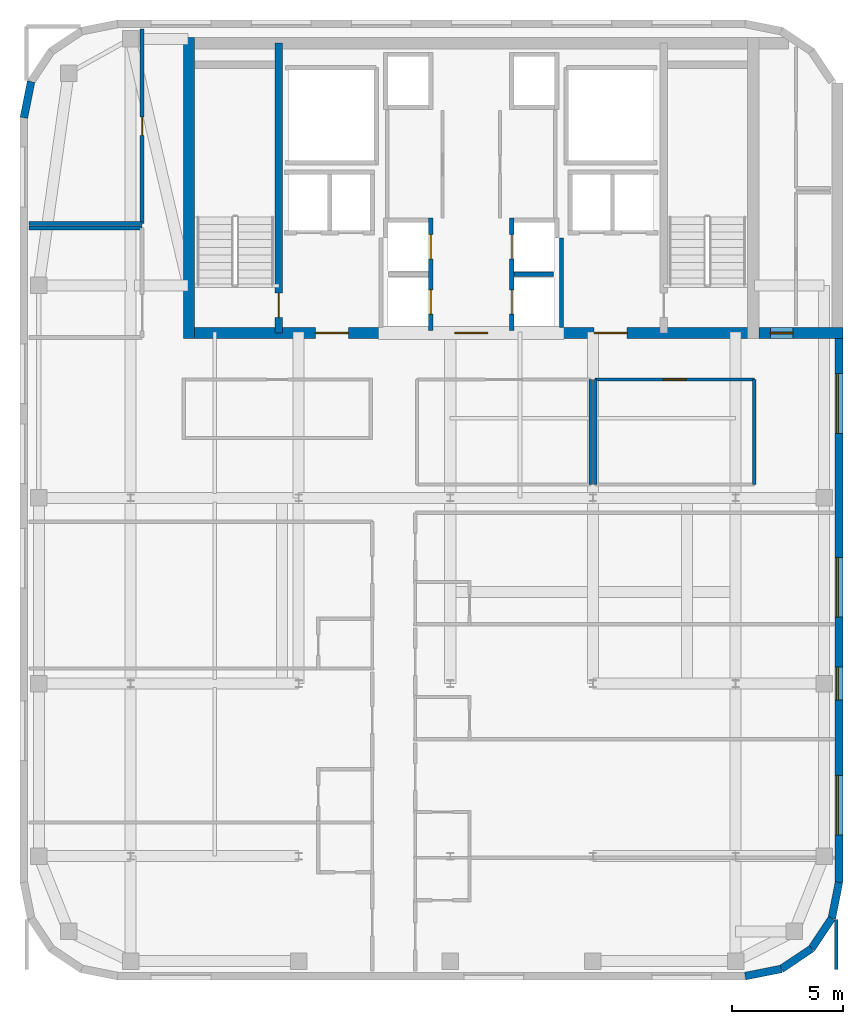
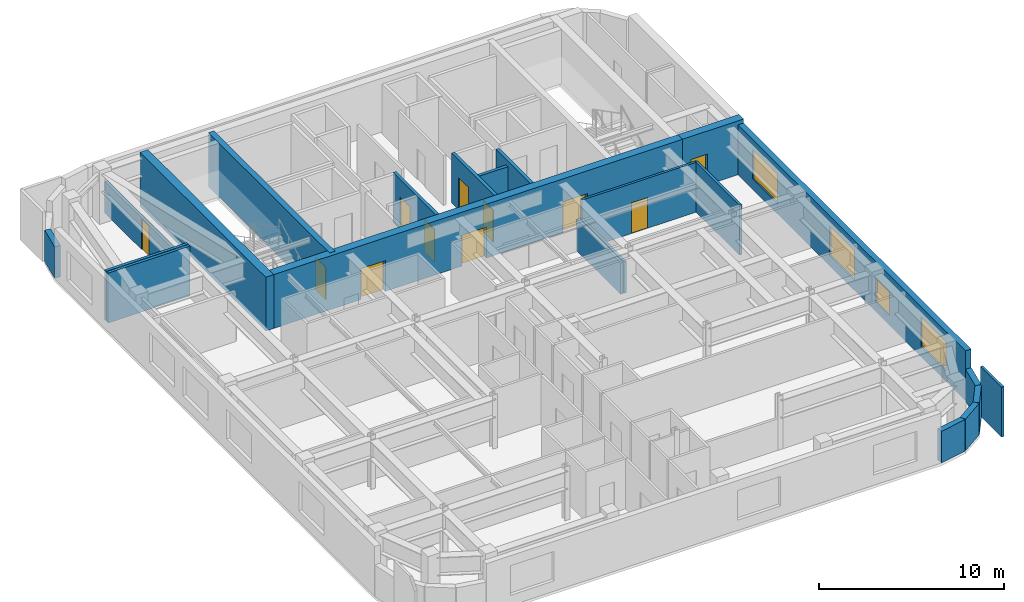
# One storey, part 5 of 8: 22 walls, 11 doors, 4 windows, 15 openings.
"""IFC4 building model written with IfcOpenShell, lengths in metres."""

from ifc_helpers import new_model, si_unit, direction, frame, frame_2d, origin, place, context, subcontext, project, spatial, rectangle, extrude, source, transform, mapped, material, layer, layer_set, type_object, type_shapes, element, fill, save


model = new_model("IFC4")

# Units and contexts
model_context = context("Model", 3, precision=1e-05, world=origin(), true_north=direction((0.0, 1.0)))
body_context = subcontext(model_context, "Body", "Model", "MODEL_VIEW")
ifc_project = project(units=[si_unit("LENGTHUNIT", "METRE"), si_unit("AREAUNIT", "SQUARE_METRE"), si_unit("VOLUMEUNIT", "CUBIC_METRE"), si_unit("PLANEANGLEUNIT", "RADIAN"), si_unit("MASSUNIT", "GRAM", prefix="KILO")], contexts=[model_context])

# Site, building, storey
site_placement = place(None, origin())
site = spatial("IfcSite", under=ifc_project, at=site_placement, CompositionType="ELEMENT")
building_placement = place(site_placement, origin())
building = spatial("IfcBuilding", under=site, at=building_placement, Name="Tolvann Quenvar Hotel", CompositionType="ELEMENT")
storey_placement = place(building_placement, frame((0.0, 0.0, 238.10009765625)))
storey = spatial("IfcBuildingStorey", under=building, at=storey_placement, Name="L63", CompositionType="ELEMENT", Elevation=238.10009765625)

# Wall, openings, doors
ifc_material_1 = material(Name="Concrete N50 (50 MPa)", Category="concrete")
ifc_layer_1 = layer(ifc_material_1, 0.5)
ifc_layer_set_1 = layer_set([ifc_layer_1], Name="Concrete N50 (50 MPa)")
wall_type_1 = type_object("IfcWallType", Name="WALL_CORE_500", PredefinedType="SHEAR", material=ifc_layer_set_1)
wall_1_placement = place(storey_placement, frame((10.0, 31.85009765625, 0.0), z_axis=(0.0, 0.0, 1.0), x_axis=(1.0, 0.0, 0.0)))
wall_1 = element("IfcWall", 1, at=wall_1_placement, inside=storey, type_object=wall_type_1, Name="Rear Core S Shear Wall (L63)", PredefinedType="SHEAR", context=body_context, shape_type="SweptSolid", body=[
    extrude(rectangle(XDim=26.0, YDim=0.5, at=frame_2d((13.0, 0.0))), origin(), (0.0, 0.0, 1.0), 3.5498046875),
])
opening_1_placement = place(wall_1_placement, frame((7.449951171875, 0.0, 0.0), z_axis=(0.0, 0.0, 1.0), x_axis=(-1.0, 0.0, 0.0)))
opening_1 = element("IfcOpeningElement", 2, at=opening_1_placement, cuts=wall_1, Name="Opening FD-60D", PredefinedType="OPENING", context=body_context, shape_type="SweptSolid", body=[
    extrude(rectangle(XDim=1.5, YDim=2.0400390625, at=frame_2d((0.75, 1.02001953125))), frame((0.0, 0.260009765625, 0.0), z_axis=(0.0, -1.0, 0.0), x_axis=(1.0, 0.0, 0.0)), (0.0, 0.0, 1.0), 0.52001953125),
])
opening_2_placement = place(wall_1_placement, frame((13.75, 0.0, 0.0), z_axis=(0.0, 0.0, 1.0), x_axis=(-1.0, 0.0, 0.0)))
opening_2 = element("IfcOpeningElement", 3, at=opening_2_placement, cuts=wall_1, Name="Opening FD-60D", PredefinedType="OPENING", context=body_context, shape_type="SweptSolid", body=[
    extrude(rectangle(XDim=1.5, YDim=2.0400390625, at=frame_2d((0.75, 1.02001953125))), frame((0.0, 0.260009765625, 0.0), z_axis=(0.0, -1.0, 0.0), x_axis=(1.0, 0.0, 0.0)), (0.0, 0.0, 1.0), 0.52001953125),
])
opening_3_placement = place(wall_1_placement, frame((20.050048828125, 0.0, 0.0), z_axis=(0.0, 0.0, 1.0), x_axis=(-1.0, 0.0, 0.0)))
opening_3 = element("IfcOpeningElement", 4, at=opening_3_placement, cuts=wall_1, Name="Opening FD-60D", PredefinedType="OPENING", context=body_context, shape_type="SweptSolid", body=[
    extrude(rectangle(XDim=1.5, YDim=2.0400390625, at=frame_2d((0.75, 1.02001953125))), frame((0.0, 0.260009765625, 0.0), z_axis=(0.0, -1.0, 0.0), x_axis=(1.0, 0.0, 0.0)), (0.0, 0.0, 1.0), 0.52001953125),
])
ifc_material_2 = material(Name="Solid-core American oak acoustic fire door leaf in steel frame", Category="steel")
door_type_1 = type_object("IfcDoorType", Name="DOOR_FIRE_LOBBY_1500", OperationType="NOTDEFINED", PredefinedType="DOOR", material=ifc_material_2)
shared_shape_1 = source(origin(), body_context, "Body", "SweptSolid", [
    extrude(rectangle(XDim=1.5, YDim=2.0400390625, at=frame_2d((0.75, 1.02001953125))), frame((0.0, 0.02490234375, 0.0), z_axis=(0.0, -1.0, 0.0), x_axis=(1.0, 0.0, 0.0)), (0.0, 0.0, 1.0), 0.050048828125),
])
type_shapes(door_type_1, [shared_shape_1])
door_1_placement = place(opening_1_placement, origin())
door_1 = element("IfcDoor", 5, at=door_1_placement, inside=storey, type_object=door_type_1, Name="Core Lobby Fire Door FFW (L63)", OperationType="DOUBLE_DOOR_SINGLE_SWING", OverallHeight=2.0400390625, OverallWidth=1.5, PredefinedType="DOOR", context=body_context, shape_type="MappedRepresentation", body=[
    mapped(shared_shape_1, transform((0.0, 0.0, 0.0), x_axis=(1.0, 0.0, 0.0), y_axis=(0.0, 1.0, 0.0), z_axis=(0.0, 0.0, 1.0), scale=1.0)),
])
fill(opening_1, door_1)
door_2_placement = place(opening_2_placement, origin())
door_2 = element("IfcDoor", 6, at=door_2_placement, inside=storey, type_object=door_type_1, Name="Core Lobby Fire Door CLOB (L63)", OperationType="DOUBLE_DOOR_SINGLE_SWING", OverallHeight=2.0400390625, OverallWidth=1.5, PredefinedType="DOOR", context=body_context, shape_type="MappedRepresentation", body=[
    mapped(shared_shape_1, transform((0.0, 0.0, 0.0), x_axis=(1.0, 0.0, 0.0), y_axis=(0.0, 1.0, 0.0), z_axis=(0.0, 0.0, 1.0), scale=1.0)),
])
fill(opening_2, door_2)
door_3_placement = place(opening_3_placement, origin())
door_3 = element("IfcDoor", 7, at=door_3_placement, inside=storey, type_object=door_type_1, Name="Core Lobby Fire Door FFE (L63)", OperationType="DOUBLE_DOOR_SINGLE_SWING", OverallHeight=2.0400390625, OverallWidth=1.5, PredefinedType="DOOR", context=body_context, shape_type="MappedRepresentation", body=[
    mapped(shared_shape_1, transform((0.0, 0.0, 0.0), x_axis=(1.0, 0.0, 0.0), y_axis=(0.0, 1.0, 0.0), z_axis=(0.0, 0.0, 1.0), scale=1.0)),
])
fill(opening_3, door_3)

# Wall
wall_2_placement = place(storey_placement, frame((10.25, 31.60009765625, 0.0), z_axis=(0.0, 0.0, 1.0), x_axis=(0.0, 1.0, 0.0)))
element("IfcWall", 8, at=wall_2_placement, inside=storey, type_object=wall_type_1, Name="Rear Core W Shear Wall (L63)", PredefinedType="SHEAR", context=body_context, shape_type="SweptSolid", body=[
    extrude(rectangle(XDim=13.599853515625, YDim=0.5, at=frame_2d((6.7998046875, 0.0))), origin(), (0.0, 0.0, 1.0), 3.5498046875),
])

# Wall, opening, door
wall_3_placement = place(storey_placement, frame((36.0, 31.85009765625, 0.0), z_axis=(0.0, 0.0, 1.0), x_axis=(1.0, 0.0, 0.0)))
wall_3 = element("IfcWall", 9, at=wall_3_placement, inside=storey, type_object=wall_type_1, Name="Core East Annex Shear Wall ANN-S (L63)", PredefinedType="SHEAR", context=body_context, shape_type="SweptSolid", body=[
    extrude(rectangle(XDim=3.800048828125, YDim=0.5, at=frame_2d((1.89990234375, 0.0))), origin(), (0.0, 0.0, 1.0), 3.5498046875),
])
opening_4_placement = place(wall_3_placement, frame((1.5400390625, 0.0, 0.0), z_axis=(0.0, 0.0, 1.0), x_axis=(-1.0, 0.0, 0.0)))
opening_4 = element("IfcOpeningElement", 10, at=opening_4_placement, cuts=wall_3, Name="Opening HD-01", PredefinedType="OPENING", context=body_context, shape_type="SweptSolid", body=[
    extrude(rectangle(XDim=1.02001953125, YDim=2.030029296875, at=frame_2d((0.510009765625, 1.01513671875))), frame((0.0, 0.260009765625, 0.0), z_axis=(0.0, -1.0, 0.0), x_axis=(1.0, 0.0, 0.0)), (0.0, 0.0, 1.0), 0.52001953125),
])
ifc_material_3 = material(Name="Pressed galvanised steel fire-rated door set", Category="steel")
door_type_2 = type_object("IfcDoorType", Name="DOOR_BOH_1020", OperationType="NOTDEFINED", PredefinedType="DOOR", material=ifc_material_3)
shared_shape_2 = source(origin(), body_context, "Body", "SweptSolid", [
    extrude(rectangle(XDim=1.02001953125, YDim=2.030029296875, at=frame_2d((0.510009765625, 1.01513671875))), frame((0.0, 0.02490234375, 0.0), z_axis=(0.0, -1.0, 0.0), x_axis=(1.0, 0.0, 0.0)), (0.0, 0.0, 1.0), 0.050048828125),
])
type_shapes(door_type_2, [shared_shape_2])
door_4_placement = place(opening_4_placement, origin())
door_4 = element("IfcDoor", 11, at=door_4_placement, inside=storey, type_object=door_type_2, Name="Housekeeping Annex Fire Door (L63)", OperationType="SINGLE_SWING_RIGHT", OverallHeight=2.030029296875, OverallWidth=1.02001953125, PredefinedType="DOOR", context=body_context, shape_type="MappedRepresentation", body=[
    mapped(shared_shape_2, transform((0.0, 0.0, 0.0), x_axis=(1.0, 0.0, 0.0), y_axis=(0.0, 1.0, 0.0), z_axis=(0.0, 0.0, 1.0), scale=1.0)),
])
fill(opening_4, door_4)

ifc_material_4 = material(Name="Concrete S65 (65 MPa)", Category="concrete")
ifc_layer_2 = layer(ifc_material_4, 0.35009765625)
ifc_layer_set_2 = layer_set([ifc_layer_2], Name="Concrete S65 (65 MPa)")
wall_type_2 = type_object("IfcWallType", Name="WALL_CORE_INT_350", PredefinedType="SHEAR", material=ifc_layer_set_2)
wall_4_placement = place(storey_placement, frame((14.300048828125, 31.85009765625, 0.0), z_axis=(0.0, 0.0, 1.0), x_axis=(0.0, 1.0, 0.0)))
wall_4 = element("IfcWall", 12, at=wall_4_placement, inside=storey, type_object=wall_type_2, Name="Core Internal Web Shear Wall WEB-W (L63)", PredefinedType="SHEAR", context=body_context, shape_type="SweptSolid", body=[
    extrude(rectangle(XDim=13.099853515625, YDim=0.35009765625, at=frame_2d((6.5498046875, 0.0))), origin(), (0.0, 0.0, 1.0), 3.5498046875),
])
opening_5_placement = place(wall_4_placement, frame((0.699951171875, 0.0, 0.0)))
opening_5 = element("IfcOpeningElement", 13, at=opening_5_placement, cuts=wall_4, Name="Opening FD-120", PredefinedType="OPENING", context=body_context, shape_type="SweptSolid", body=[
    extrude(rectangle(XDim=1.10009765625, YDim=2.1201171875, at=frame_2d((0.550048828125, 1.06005859375))), frame((0.0, 0.18505859375, 0.0), z_axis=(0.0, -1.0, 0.0), x_axis=(1.0, 0.0, 0.0)), (0.0, 0.0, 1.0), 0.3701171875),
])
door_type_3 = type_object("IfcDoorType", Name="DOOR_FIRE_STAIR_1100", OperationType="NOTDEFINED", PredefinedType="DOOR", material=ifc_material_3)
shared_shape_3 = source(origin(), body_context, "Body", "SweptSolid", [
    extrude(rectangle(XDim=1.10009765625, YDim=2.1201171875, at=frame_2d((0.550048828125, 1.06005859375))), frame((0.0, 0.02490234375, 0.0), z_axis=(0.0, -1.0, 0.0), x_axis=(1.0, 0.0, 0.0)), (0.0, 0.0, 1.0), 0.050048828125),
])
type_shapes(door_type_3, [shared_shape_3])
door_5_placement = place(opening_5_placement, origin())
door_5 = element("IfcDoor", 14, at=door_5_placement, inside=storey, type_object=door_type_3, Name="Exit Stair ST-C1 Fire Door (L63)", OperationType="SINGLE_SWING_RIGHT", OverallHeight=2.1201171875, OverallWidth=1.10009765625, PredefinedType="DOOR", context=body_context, shape_type="MappedRepresentation", body=[
    mapped(shared_shape_3, transform((0.0, 0.0, 0.0), x_axis=(1.0, 0.0, 0.0), y_axis=(0.0, 1.0, 0.0), z_axis=(0.0, 0.0, 1.0), scale=1.0)),
])
fill(opening_5, door_5)

# Walls
ifc_material_5 = material(Name="Kiln-fired red and buff architectural clay brickwork and terracotta masonry", Category="masonry")
ifc_layer_3 = layer(ifc_material_5, 0.35009765625)
ifc_layer_set_3 = layer_set([ifc_layer_3], Name="Kiln-fired red and buff architectural clay brickwork and terracotta masonry")
wall_type_3 = type_object("IfcWallType", Name="WALL_EXT_BRICK_350", PredefinedType="SOLIDWALL", material=ifc_layer_set_3)
wall_5_placement = place(storey_placement, frame((35.3828125, 2.77490234375, 0.0), z_axis=(0.0, 0.0, 1.0), x_axis=(0.980788844421, 0.195072403631, 0.0)))
element("IfcWall", 15, at=wall_5_placement, inside=storey, type_object=wall_type_3, Name="Exterior Chicago Brick Wall L63-E05", PredefinedType="SOLIDWALL", context=body_context, shape_type="SweptSolid", body=[
    extrude(rectangle(XDim=1.66455078125, YDim=0.35009765625, at=frame_2d((0.832275390625, 0.0))), origin(), (0.0, 0.0, 1.0), 2.079833984375),
])
for number, where, z_axis, x_axis, name in (
    (16, (37.015380859375, 3.099609375, 0.0), (0.0, 0.0, 1.0), (0.831434158098, 0.555623290322, 0.0), "Exterior Chicago Brick Wall L63-E06"),
    (17, (38.385009765625, 4.014892578125, 0.0), (0.0, 0.0, 1.0), (0.555623290322, 0.831434158098, 0.0), "Exterior Chicago Brick Wall L63-E07"),
):
    element("IfcWall", number, at=place(storey_placement, frame(where, z_axis=z_axis, x_axis=x_axis)), inside=storey, type_object=wall_type_3, Name=name, PredefinedType="SOLIDWALL", context=body_context, shape_type="SweptSolid", body=[
        extrude(rectangle(XDim=1.647216796875, YDim=0.35009765625, at=frame_2d((0.82373046875, 0.0))), origin(), (0.0, 0.0, 1.0), 2.079833984375),
    ])
wall_6_placement = place(storey_placement, frame((39.30029296875, 5.384521484375, 0.0), z_axis=(0.0, 0.0, 1.0), x_axis=(0.195072403631, 0.980788844421, 0.0)))
element("IfcWall", 18, at=wall_6_placement, inside=storey, type_object=wall_type_3, Name="Exterior Chicago Brick Wall L63-E08", PredefinedType="SOLIDWALL", context=body_context, shape_type="SweptSolid", body=[
    extrude(rectangle(XDim=1.66455078125, YDim=0.35009765625, at=frame_2d((0.832275390625, 0.0))), origin(), (0.0, 0.0, 1.0), 2.079833984375),
])

# Wall, openings, windows
wall_7_placement = place(storey_placement, frame((39.625, 7.01708984375, 0.0), z_axis=(0.0, 0.0, 1.0), x_axis=(0.0, 1.0, 0.0)))
wall_7 = element("IfcWall", 19, at=wall_7_placement, inside=storey, type_object=wall_type_3, Name="Exterior Chicago Brick Wall L63-E09", PredefinedType="SOLIDWALL", context=body_context, shape_type="SweptSolid", body=[
    extrude(rectangle(XDim=24.578857421875, YDim=0.35009765625, at=frame_2d((12.28955078125, 0.0))), origin(), (0.0, 0.0, 1.0), 3.289794921875),
])
opening_6_placement = place(wall_7_placement, frame((2.137939453125, 0.0, 0.679931640625)))
opening_6 = element("IfcOpeningElement", 20, at=opening_6_placement, cuts=wall_7, Name="Opening W-04", PredefinedType="OPENING", context=body_context, shape_type="SweptSolid", body=[
    extrude(rectangle(XDim=2.699951171875, YDim=1.949951171875, at=frame_2d((1.35009765625, 0.97509765625))), frame((0.0, 0.18505859375, 0.0), z_axis=(0.0, -1.0, 0.0), x_axis=(1.0, 0.0, 0.0)), (0.0, 0.0, 1.0), 0.3701171875),
])
opening_7_placement = place(wall_7_placement, frame((11.989013671875, 0.0, 0.679931640625)))
opening_7 = element("IfcOpeningElement", 21, at=opening_7_placement, cuts=wall_7, Name="Opening W-04", PredefinedType="OPENING", context=body_context, shape_type="SweptSolid", body=[
    extrude(rectangle(XDim=2.699951171875, YDim=1.949951171875, at=frame_2d((1.35009765625, 0.97509765625))), frame((0.0, 0.18505859375, 0.0), z_axis=(0.0, -1.0, 0.0), x_axis=(1.0, 0.0, 0.0)), (0.0, 0.0, 1.0), 0.3701171875),
])
opening_8_placement = place(wall_7_placement, frame((20.291015625, 0.0, 0.679931640625)))
opening_8 = element("IfcOpeningElement", 22, at=opening_8_placement, cuts=wall_7, Name="Opening W-04", PredefinedType="OPENING", context=body_context, shape_type="SweptSolid", body=[
    extrude(rectangle(XDim=2.699951171875, YDim=1.949951171875, at=frame_2d((1.35009765625, 0.97509765625))), frame((0.0, 0.18505859375, 0.0), z_axis=(0.0, -1.0, 0.0), x_axis=(1.0, 0.0, 0.0)), (0.0, 0.0, 1.0), 0.3701171875),
])
opening_9_placement = place(wall_7_placement, frame((8.23291015625, 0.0, 0.6201171875)))
opening_9 = element("IfcOpeningElement", 23, at=opening_9_placement, cuts=wall_7, Name="Opening W-08", PredefinedType="OPENING", context=body_context, shape_type="SweptSolid", body=[
    extrude(rectangle(XDim=1.5, YDim=1.550048828125, at=frame_2d((0.75, 0.77490234375))), frame((0.0, 0.18505859375, 0.0), z_axis=(0.0, -1.0, 0.0), x_axis=(1.0, 0.0, 0.0)), (0.0, 0.0, 1.0), 0.3701171875),
])
ifc_material_6 = material(Name="Thermally broken bronze-anodised aluminium frame with double low-E glazing", Category="aluminium")
window_type_1 = type_object("IfcWindowType", Name="WIN_COR_1500x2050", PartitioningType="SINGLE_PANEL", PredefinedType="WINDOW", material=ifc_material_6)
shared_shape_4 = source(origin(), body_context, "Body", "SweptSolid", [
    extrude(rectangle(XDim=1.5, YDim=1.550048828125, at=frame_2d((0.75, 0.77490234375))), frame((0.0, 0.090087890625, 0.0), z_axis=(0.0, -1.0, 0.0), x_axis=(1.0, 0.0, 0.0)), (0.0, 0.0, 1.0), 0.06005859375),
])
type_shapes(window_type_1, [shared_shape_4])
window_1_placement = place(opening_9_placement, origin())
window_1 = element("IfcWindow", 24, at=window_1_placement, inside=storey, type_object=window_type_1, Name="Chicago Window W-08 (EW-L63-E09-WD04)", OverallHeight=1.550048828125, OverallWidth=1.5, PartitioningType="SINGLE_PANEL", PredefinedType="WINDOW", context=body_context, shape_type="MappedRepresentation", body=[
    mapped(shared_shape_4, transform((0.0, 0.0, 0.0), x_axis=(1.0, 0.0, 0.0), y_axis=(0.0, 1.0, 0.0), z_axis=(0.0, 0.0, 1.0), scale=1.0)),
])
fill(opening_9, window_1)
window_type_2 = type_object("IfcWindowType", Name="WIN_STE_2700x2150", PartitioningType="TRIPLE_PANEL_HORIZONTAL", PredefinedType="WINDOW", material=ifc_material_6)
shared_shape_5 = source(origin(), body_context, "Body", "SweptSolid", [
    extrude(rectangle(XDim=2.699951171875, YDim=1.949951171875, at=frame_2d((1.35009765625, 0.97509765625))), frame((0.0, 0.090087890625, 0.0), z_axis=(0.0, -1.0, 0.0), x_axis=(1.0, 0.0, 0.0)), (0.0, 0.0, 1.0), 0.06005859375),
])
type_shapes(window_type_2, [shared_shape_5])
window_2_placement = place(opening_6_placement, origin())
window_2 = element("IfcWindow", 25, at=window_2_placement, inside=storey, type_object=window_type_2, Name="Chicago Window W-04 (EW-L63-E09-W01)", OverallHeight=1.949951171875, OverallWidth=2.699951171875, PartitioningType="TRIPLE_PANEL_HORIZONTAL", PredefinedType="WINDOW", context=body_context, shape_type="MappedRepresentation", body=[
    mapped(shared_shape_5, transform((0.0, 0.0, 0.0), x_axis=(1.0, 0.0, 0.0), y_axis=(0.0, 1.0, 0.0), z_axis=(0.0, 0.0, 1.0), scale=1.0)),
])
fill(opening_6, window_2)
window_3_placement = place(opening_7_placement, origin())
window_3 = element("IfcWindow", 26, at=window_3_placement, inside=storey, type_object=window_type_2, Name="Chicago Window W-04 (EW-L63-E09-W02)", OverallHeight=1.949951171875, OverallWidth=2.699951171875, PartitioningType="TRIPLE_PANEL_HORIZONTAL", PredefinedType="WINDOW", context=body_context, shape_type="MappedRepresentation", body=[
    mapped(shared_shape_5, transform((0.0, 0.0, 0.0), x_axis=(1.0, 0.0, 0.0), y_axis=(0.0, 1.0, 0.0), z_axis=(0.0, 0.0, 1.0), scale=1.0)),
])
fill(opening_7, window_3)
window_4_placement = place(opening_8_placement, origin())
window_4 = element("IfcWindow", 27, at=window_4_placement, inside=storey, type_object=window_type_2, Name="Chicago Window W-04 (EW-L63-E09-W03)", OverallHeight=1.949951171875, OverallWidth=2.699951171875, PartitioningType="TRIPLE_PANEL_HORIZONTAL", PredefinedType="WINDOW", context=body_context, shape_type="MappedRepresentation", body=[
    mapped(shared_shape_5, transform((0.0, 0.0, 0.0), x_axis=(1.0, 0.0, 0.0), y_axis=(0.0, 1.0, 0.0), z_axis=(0.0, 0.0, 1.0), scale=1.0)),
])
fill(opening_8, window_4)

# Walls
wall_8_placement = place(storey_placement, frame((3.099609375, 43.215576171875, 0.0), z_axis=(0.0, 0.0, 1.0), x_axis=(-0.195044345786, -0.980794424524, 0.0)))
element("IfcWall", 28, at=wall_8_placement, inside=storey, type_object=wall_type_3, Name="Exterior Chicago Brick Wall L63-E18", PredefinedType="SOLIDWALL", context=body_context, shape_type="SweptSolid", body=[
    extrude(rectangle(XDim=1.664794921875, YDim=0.35009765625, at=frame_2d((0.83251953125, 0.0))), origin(), (0.0, 0.0, 1.0), 2.079833984375),
])
ifc_material_7 = material(Name="Acoustic twin-stud fire-rated gypsum plasterboard partition")
ifc_layer_4 = layer(ifc_material_7, 0.179931640625)
ifc_layer_set_4 = layer_set([ifc_layer_4], Name="Acoustic twin-stud fire-rated gypsum plasterboard partition")
wall_type_4 = type_object("IfcWallType", Name="WALL_PART_ACOUSTIC_180", PredefinedType="PARTITIONING", material=ifc_layer_set_4)
for number, where, z_axis, x_axis, name in (
    (29, (3.0048828125, 36.60009765625, 0.0), (0.0, 0.0, 1.0), (1.0, 0.0, 0.0), "Interior Partition PT-SPC-L63-SAL-N"),
    (30, (3.0048828125, 36.800048828125, 0.0), (0.0, 0.0, 1.0), (1.0, 0.0, 0.0), "Interior Partition PT-SPC-L63-STD-S"),
):
    element("IfcWall", number, at=place(storey_placement, frame(where, z_axis=z_axis, x_axis=x_axis)), inside=storey, type_object=wall_type_4, Name=name, PredefinedType="PARTITIONING", context=body_context, shape_type="SweptSolid", body=[
        extrude(rectangle(XDim=5.115234375, YDim=0.179931640625, at=frame_2d((2.5576171875, 0.0))), origin(), (0.0, 0.0, 1.0), 3.289794921875),
    ])

# Wall, opening, door
wall_9_placement = place(storey_placement, frame((8.1201171875, 36.800048828125, 0.0), z_axis=(0.0, 0.0, 1.0), x_axis=(0.0, 1.0, 0.0)))
wall_9 = element("IfcWall", 31, at=wall_9_placement, inside=storey, type_object=wall_type_4, Name="Interior Partition PT-SPC-L63-STD-E", PredefinedType="PARTITIONING", context=body_context, shape_type="SweptSolid", body=[
    extrude(rectangle(XDim=8.794921875, YDim=0.179931640625, at=frame_2d((4.3974609375, 0.0))), origin(), (0.0, 0.0, 1.0), 2.079833984375),
])
opening_10_placement = place(wall_9_placement, frame((3.987548828125, 0.0, 0.0)))
opening_10 = element("IfcOpeningElement", 32, at=opening_10_placement, cuts=wall_9, Name="Opening HD-02", PredefinedType="OPENING", context=body_context, shape_type="SweptSolid", body=[
    extrude(rectangle(XDim=0.820068359375, YDim=2.010009765625, at=frame_2d((0.41015625, 1.0048828125))), frame((0.0, 0.10009765625, 0.0), z_axis=(0.0, -1.0, 0.0), x_axis=(1.0, 0.0, 0.0)), (0.0, 0.0, 1.0), 0.199951171875),
])
door_type_4 = type_object("IfcDoorType", Name="DOOR_STORE_820", OperationType="NOTDEFINED", PredefinedType="DOOR", material=ifc_material_3)
shared_shape_6 = source(origin(), body_context, "Body", "SweptSolid", [
    extrude(rectangle(XDim=0.820068359375, YDim=2.010009765625, at=frame_2d((0.41015625, 1.0048828125))), frame((0.0, 0.02490234375, 0.0), z_axis=(0.0, -1.0, 0.0), x_axis=(1.0, 0.0, 0.0)), (0.0, 0.0, 1.0), 0.050048828125),
])
type_shapes(door_type_4, [shared_shape_6])
door_6_placement = place(opening_10_placement, origin())
door_6 = element("IfcDoor", 33, at=door_6_placement, inside=storey, type_object=door_type_4, Name="Interior Door DOOR-SPC-L63-STD", OperationType="SINGLE_SWING_RIGHT", OverallHeight=2.010009765625, OverallWidth=0.820068359375, PredefinedType="DOOR", context=body_context, shape_type="MappedRepresentation", body=[
    mapped(shared_shape_6, transform((0.0, 0.0, 0.0), x_axis=(1.0, 0.0, 0.0), y_axis=(0.0, 1.0, 0.0), z_axis=(0.0, 0.0, 1.0), scale=1.0)),
])
fill(opening_10, door_6)

# Walls
ifc_layer_5 = layer(ifc_material_7, 0.14990234375)
ifc_layer_set_5 = layer_set([ifc_layer_5], Name="Acoustic twin-stud fire-rated gypsum plasterboard partition")
wall_type_5 = type_object("IfcWallType", Name="WALL_PART_SUITE_150", PredefinedType="PARTITIONING", material=ifc_layer_set_5)
wall_10_placement = place(storey_placement, frame((39.5, 3.080078125, 0.0), z_axis=(0.0, 0.0, 1.0), x_axis=(0.0, 1.0, 0.0)))
element("IfcWall", 34, at=wall_10_placement, inside=storey, type_object=wall_type_5, Name="Interior Partition PT-SPC-L63-RM-EO01-E2", PredefinedType="PARTITIONING", context=body_context, shape_type="SweptSolid", body=[
    extrude(rectangle(XDim=2.264892578125, YDim=0.14990234375, at=frame_2d((1.13232421875, 0.0))), origin(), (0.0, 0.0, 1.0), 3.289794921875),
])
wall_11_placement = place(storey_placement, frame((28.39990234375, 25.0, 0.0), z_axis=(0.0, 0.0, 1.0), x_axis=(0.0, 1.0, 0.0)))
element("IfcWall", 35, at=wall_11_placement, inside=storey, type_object=wall_type_5, Name="Interior Partition PT-SPC-L63-LOUNGE-E", PredefinedType="PARTITIONING", context=body_context, shape_type="SweptSolid", body=[
    extrude(rectangle(XDim=4.75, YDim=0.14990234375, at=frame_2d((2.375, 0.0))), origin(), (0.0, 0.0, 1.0), 2.079833984375),
])

# Wall, opening, door
wall_12_placement = place(storey_placement, frame((28.60009765625, 29.75, 0.0), z_axis=(0.0, 0.0, 1.0), x_axis=(1.0, 0.0, 0.0)))
wall_12 = element("IfcWall", 36, at=wall_12_placement, inside=storey, type_object=wall_type_5, Name="Interior Partition PT-SPC-L63-PNTR-N", PredefinedType="PARTITIONING", context=body_context, shape_type="SweptSolid", body=[
    extrude(rectangle(XDim=7.199951171875, YDim=0.14990234375, at=frame_2d((3.60009765625, 0.0))), origin(), (0.0, 0.0, 1.0), 3.289794921875),
])
opening_11_placement = place(wall_12_placement, frame((3.090087890625, 0.0, 0.0)))
opening_11 = element("IfcOpeningElement", 37, at=opening_11_placement, cuts=wall_12, Name="Opening HD-01", PredefinedType="OPENING", context=body_context, shape_type="SweptSolid", body=[
    extrude(rectangle(XDim=1.02001953125, YDim=2.030029296875, at=frame_2d((0.510009765625, 1.01513671875))), frame((0.0, 0.0849609375, 0.0), z_axis=(0.0, -1.0, 0.0), x_axis=(1.0, 0.0, 0.0)), (0.0, 0.0, 1.0), 0.169921875),
])
door_7_placement = place(opening_11_placement, origin())
door_7 = element("IfcDoor", 38, at=door_7_placement, inside=storey, type_object=door_type_2, Name="Interior Door DOOR-SPC-L63-PNTR", OperationType="SINGLE_SWING_RIGHT", OverallHeight=2.030029296875, OverallWidth=1.02001953125, PredefinedType="DOOR", context=body_context, shape_type="MappedRepresentation", body=[
    mapped(shared_shape_2, transform((0.0, 0.0, 0.0), x_axis=(1.0, 0.0, 0.0), y_axis=(0.0, 1.0, 0.0), z_axis=(0.0, 0.0, 1.0), scale=1.0)),
])
fill(opening_11, door_7)

# Walls
wall_13_placement = place(storey_placement, frame((28.60009765625, 25.0, 0.0), z_axis=(0.0, 0.0, 1.0), x_axis=(0.0, 1.0, 0.0)))
element("IfcWall", 39, at=wall_13_placement, inside=storey, type_object=wall_type_5, Name="Interior Partition PT-SPC-L63-PNTR-W", PredefinedType="PARTITIONING", context=body_context, shape_type="SweptSolid", body=[
    extrude(rectangle(XDim=4.75, YDim=0.14990234375, at=frame_2d((2.375, 0.0))), origin(), (0.0, 0.0, 1.0), 2.079833984375),
])
wall_14_placement = place(storey_placement, frame((35.800048828125, 25.0, 0.0), z_axis=(0.0, 0.0, 1.0), x_axis=(0.0, 1.0, 0.0)))
element("IfcWall", 40, at=wall_14_placement, inside=storey, type_object=wall_type_5, Name="Interior Partition PT-SPC-L63-PNTR-E", PredefinedType="PARTITIONING", context=body_context, shape_type="SweptSolid", body=[
    extrude(rectangle(XDim=4.75, YDim=0.14990234375, at=frame_2d((2.375, 0.0))), origin(), (0.0, 0.0, 1.0), 3.289794921875),
])
ifc_material_8 = material(Name="Concrete N40 (40 MPa)", Category="concrete")
ifc_layer_6 = layer(ifc_material_8, 0.199951171875)
ifc_layer_set_6 = layer_set([ifc_layer_6], Name="Concrete N40 (40 MPa)")
wall_type_6 = type_object("IfcWallType", Name="WALL_SHAFT_200", PredefinedType="SOLIDWALL", material=ifc_layer_set_6)
wall_15_placement = place(storey_placement, frame((27.080078125, 32.10400390625, 0.0), z_axis=(0.0, 0.0, 1.0), x_axis=(0.0, 1.0, 0.0)))
element("IfcWall", 41, at=wall_15_placement, inside=storey, type_object=wall_type_6, Name="Firefighting Lobby E Inner Fire Wall (L63)", PredefinedType="SOLIDWALL", context=body_context, shape_type="SweptSolid", body=[
    extrude(rectangle(XDim=4.0458984375, YDim=0.199951171875, at=frame_2d((2.02294921875, 0.0))), origin(), (0.0, 0.0, 1.0), 3.289794921875),
])

# Wall, openings, doors
wall_16_placement = place(storey_placement, frame((21.169921875, 31.9599609375, 0.0), z_axis=(0.0, 0.0, 1.0), x_axis=(0.0, 1.0, 0.0)))
wall_16 = element("IfcWall", 42, at=wall_16_placement, inside=storey, type_object=wall_type_6, Name="Lift Bank E21.1C1 Hoistway Front Wall (L63)", PredefinedType="SOLIDWALL", context=body_context, shape_type="SweptSolid", body=[
    extrude(rectangle(XDim=5.080078125, YDim=0.199951171875, at=frame_2d((2.5400390625, 0.0))), origin(), (0.0, 0.0, 1.0), 3.289794921875),
])
opening_12_placement = place(wall_16_placement, frame((0.739990234375, 0.0, 0.0)))
opening_12 = element("IfcOpeningElement", 43, at=opening_12_placement, cuts=wall_16, Name="Opening LD-01", PredefinedType="OPENING", context=body_context, shape_type="SweptSolid", body=[
    extrude(rectangle(XDim=1.10009765625, YDim=2.1201171875, at=frame_2d((0.550048828125, 1.06005859375))), frame((0.0, 0.10986328125, 0.0), z_axis=(0.0, -1.0, 0.0), x_axis=(1.0, 0.0, 0.0)), (0.0, 0.0, 1.0), 0.219970703125),
])
opening_13_placement = place(wall_16_placement, frame((3.239990234375, 0.0, 0.0)))
opening_13 = element("IfcOpeningElement", 44, at=opening_13_placement, cuts=wall_16, Name="Opening LD-01", PredefinedType="OPENING", context=body_context, shape_type="SweptSolid", body=[
    extrude(rectangle(XDim=1.10009765625, YDim=2.1201171875, at=frame_2d((0.550048828125, 1.06005859375))), frame((0.0, 0.10986328125, 0.0), z_axis=(0.0, -1.0, 0.0), x_axis=(1.0, 0.0, 0.0)), (0.0, 0.0, 1.0), 0.219970703125),
])
ifc_material_9 = material(Name="Brushed 316 stainless steel automatic sliding lift landing door", Category="steel")
door_type_5 = type_object("IfcDoorType", Name="DOOR_LIFT_SLIDE_1100", OperationType="NOTDEFINED", PredefinedType="DOOR", material=ifc_material_9)
shared_shape_7 = source(origin(), body_context, "Body", "SweptSolid", [
    extrude(rectangle(XDim=1.10009765625, YDim=2.1201171875, at=frame_2d((0.550048828125, 1.06005859375))), frame((0.0, 0.02490234375, 0.0), z_axis=(0.0, -1.0, 0.0), x_axis=(1.0, 0.0, 0.0)), (0.0, 0.0, 1.0), 0.050048828125),
])
type_shapes(door_type_5, [shared_shape_7])
door_8_placement = place(opening_12_placement, origin())
door_8 = element("IfcDoor", 45, at=door_8_placement, inside=storey, type_object=door_type_5, Name="Lift PH-1 Sliding Landing Door (L63)", OperationType="SLIDING_TO_LEFT", OverallHeight=2.1201171875, OverallWidth=1.10009765625, PredefinedType="DOOR", context=body_context, shape_type="MappedRepresentation", body=[
    mapped(shared_shape_7, transform((0.0, 0.0, 0.0), x_axis=(1.0, 0.0, 0.0), y_axis=(0.0, 1.0, 0.0), z_axis=(0.0, 0.0, 1.0), scale=1.0)),
])
fill(opening_12, door_8)
door_9_placement = place(opening_13_placement, origin())
door_9 = element("IfcDoor", 46, at=door_9_placement, inside=storey, type_object=door_type_5, Name="Lift PH-2 Sliding Landing Door (L63)", OperationType="SLIDING_TO_RIGHT", OverallHeight=2.1201171875, OverallWidth=1.10009765625, PredefinedType="DOOR", context=body_context, shape_type="MappedRepresentation", body=[
    mapped(shared_shape_7, transform((0.0, 0.0, 0.0), x_axis=(1.0, 0.0, 0.0), y_axis=(0.0, 1.0, 0.0), z_axis=(0.0, 0.0, 1.0), scale=1.0)),
])
fill(opening_13, door_9)

wall_17_placement = place(storey_placement, frame((24.830078125, 31.9599609375, 0.0), z_axis=(0.0, 0.0, 1.0), x_axis=(0.0, 1.0, 0.0)))
wall_17 = element("IfcWall", 47, at=wall_17_placement, inside=storey, type_object=wall_type_6, Name="Lift Bank W24.9C1 Hoistway Front Wall (L63)", PredefinedType="SOLIDWALL", context=body_context, shape_type="SweptSolid", body=[
    extrude(rectangle(XDim=5.080078125, YDim=0.199951171875, at=frame_2d((2.5400390625, 0.0))), origin(), (0.0, 0.0, 1.0), 3.289794921875),
])
opening_14_placement = place(wall_17_placement, frame((0.739990234375, 0.0, 0.0)))
opening_14 = element("IfcOpeningElement", 48, at=opening_14_placement, cuts=wall_17, Name="Opening LD-01", PredefinedType="OPENING", context=body_context, shape_type="SweptSolid", body=[
    extrude(rectangle(XDim=1.10009765625, YDim=2.1201171875, at=frame_2d((0.550048828125, 1.06005859375))), frame((0.0, 0.10986328125, 0.0), z_axis=(0.0, -1.0, 0.0), x_axis=(1.0, 0.0, 0.0)), (0.0, 0.0, 1.0), 0.219970703125),
])
opening_15_placement = place(wall_17_placement, frame((3.239990234375, 0.0, 0.0)))
opening_15 = element("IfcOpeningElement", 49, at=opening_15_placement, cuts=wall_17, Name="Opening LD-01", PredefinedType="OPENING", context=body_context, shape_type="SweptSolid", body=[
    extrude(rectangle(XDim=1.10009765625, YDim=2.1201171875, at=frame_2d((0.550048828125, 1.06005859375))), frame((0.0, 0.10986328125, 0.0), z_axis=(0.0, -1.0, 0.0), x_axis=(1.0, 0.0, 0.0)), (0.0, 0.0, 1.0), 0.219970703125),
])
door_10_placement = place(opening_14_placement, origin())
door_10 = element("IfcDoor", 50, at=door_10_placement, inside=storey, type_object=door_type_5, Name="Lift PH-3 Sliding Landing Door (L63)", OperationType="SLIDING_TO_LEFT", OverallHeight=2.1201171875, OverallWidth=1.10009765625, PredefinedType="DOOR", context=body_context, shape_type="MappedRepresentation", body=[
    mapped(shared_shape_7, transform((0.0, 0.0, 0.0), x_axis=(1.0, 0.0, 0.0), y_axis=(0.0, 1.0, 0.0), z_axis=(0.0, 0.0, 1.0), scale=1.0)),
])
fill(opening_14, door_10)
door_11_placement = place(opening_15_placement, origin())
door_11 = element("IfcDoor", 51, at=door_11_placement, inside=storey, type_object=door_type_5, Name="Lift PH-4 Sliding Landing Door (L63)", OperationType="SLIDING_TO_RIGHT", OverallHeight=2.1201171875, OverallWidth=1.10009765625, PredefinedType="DOOR", context=body_context, shape_type="MappedRepresentation", body=[
    mapped(shared_shape_7, transform((0.0, 0.0, 0.0), x_axis=(1.0, 0.0, 0.0), y_axis=(0.0, 1.0, 0.0), z_axis=(0.0, 0.0, 1.0), scale=1.0)),
])
fill(opening_15, door_11)

# Wall
wall_18_placement = place(storey_placement, frame((24.929931640625, 34.5, 0.0), z_axis=(0.0, 0.0, 1.0), x_axis=(1.0, 0.0, 0.0)))
element("IfcWall", 52, at=wall_18_placement, inside=storey, type_object=wall_type_6, Name="Lift Bank W24.9C1 Divider Wall 1 (L63)", PredefinedType="SOLIDWALL", context=body_context, shape_type="SweptSolid", body=[
    extrude(rectangle(XDim=1.800048828125, YDim=0.199951171875, at=frame_2d((0.89990234375, 0.0))), origin(), (0.0, 0.0, 1.0), 3.289794921875),
])

save(model, "model.ifc")
